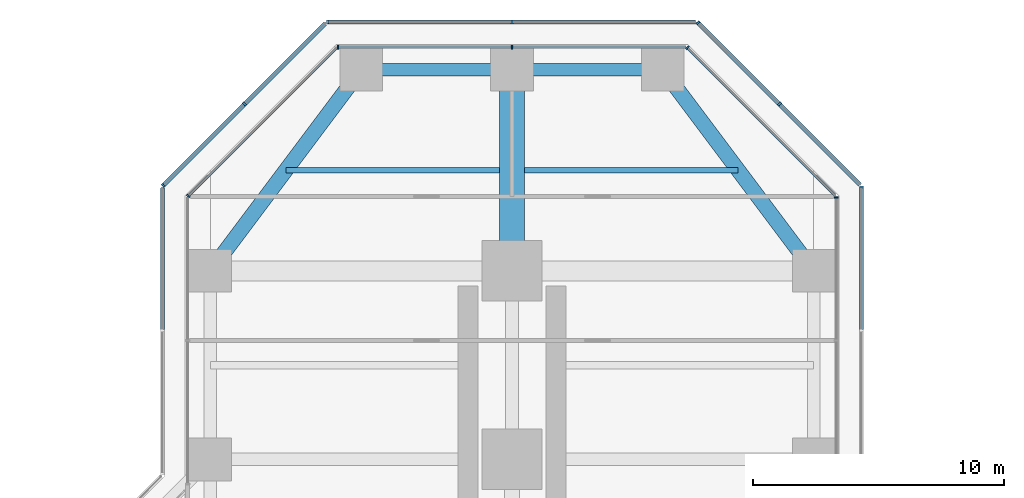
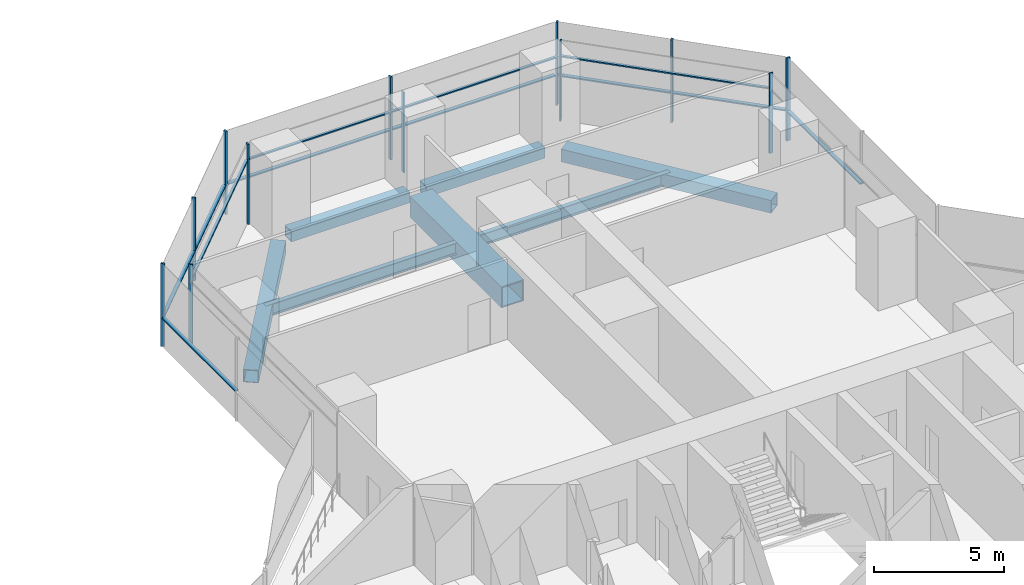
# One storey, part 13 of 22: 24 members, 7 beams, 9 elements without a shape of their own.
"""IFC4 building model written with IfcOpenShell, lengths in metres."""

from ifc_helpers import new_model, si_unit, direction, frame, origin, origin_2d, place, context, subcontext, project, spatial, rectangle, hollow_rectangle, i_section, extrude, material, material_profile, profile_set, type_object, element, aggregate, save


model = new_model("IFC4")

# Units and contexts
model_context = context("Model", 3, precision=1e-05, world=origin(), true_north=direction((0.0, 1.0)))
body_context = subcontext(model_context, "Body", "Model", "MODEL_VIEW")
ifc_project = project(units=[si_unit("LENGTHUNIT", "METRE"), si_unit("AREAUNIT", "SQUARE_METRE"), si_unit("VOLUMEUNIT", "CUBIC_METRE"), si_unit("PLANEANGLEUNIT", "RADIAN"), si_unit("MASSUNIT", "GRAM", prefix="KILO")], contexts=[model_context])

# Site, building, storey
site_placement = place(None, origin())
site = spatial("IfcSite", under=ifc_project, at=site_placement, CompositionType="ELEMENT")
building_placement = place(site_placement, origin())
building = spatial("IfcBuilding", under=site, at=building_placement, Name="Mizan Broadcast Tower", CompositionType="ELEMENT")
storey_placement = place(building_placement, frame((0.0, 0.0, 98.10009765625)))
storey = spatial("IfcBuildingStorey", under=building, at=storey_placement, Name="L21", CompositionType="ELEMENT", Elevation=98.10009765625)

# Beams
ifc_material_1 = material(Name="Steel S355", Category="steel")
ifc_material_profile_1 = material_profile(ifc_material_1, hollow_rectangle(XDim=0.5, YDim=0.5, WallThickness=0.030029296875, at=origin_2d()), Name="BOX 500x500x30")
ifc_profile_set_1 = profile_set([ifc_material_profile_1], Name="Steel S355")
beam_type_1 = type_object("IfcBeamType", Name="EDGE BEAM BOX 500x500x30", PredefinedType="SPANDREL", material=ifc_profile_set_1)
for number, where, z_axis, x_axis, name in (
    (1, (5.639892578125, 35.0, -0.380126953125), (-1.0, 0.0, 0.0), (0.0, -1.0, 0.0), "Edge beam BOX 500x500x30 L21 north arm"),
    (2, (-5.639892578125, 35.0, -0.380126953125), (1.0, 0.0, 0.0), (0.0, 1.0, 0.0), "Edge beam BOX 500x500x30 L21 north arm"),
):
    element("IfcBeam", number, at=place(storey_placement, frame(where, z_axis=z_axis, x_axis=x_axis)), inside=storey, type_object=beam_type_1, Name=name, PredefinedType="SPANDREL", context=body_context, shape_type="SweptSolid", body=[
        extrude(hollow_rectangle(XDim=0.5, YDim=0.5, WallThickness=0.030029296875, at=origin_2d()), origin(), (0.0, 0.0, 1.0), 5.27978515625),
    ])
ifc_material_2 = material(Name="Steel S355", Category="steel")
ifc_material_profile_2 = material_profile(ifc_material_2, hollow_rectangle(XDim=0.60009765625, YDim=0.60009765625, WallThickness=0.030029296875, at=origin_2d()), Name="BOX 600x600x30")
ifc_profile_set_2 = profile_set([ifc_material_profile_2], Name="Steel S355")
beam_type_2 = type_object("IfcBeamType", Name="EDGE BEAM BOX 600x600x30", PredefinedType="SPANDREL", material=ifc_profile_set_2)
for number, where, z_axis, x_axis, name in (
    (3, (11.639892578125, 27.47998046875, -0.43017578125), (-0.599982243973, 0.800013316712, 0.0), (-0.800013316712, -0.599982243973, 0.0), "Edge beam BOX 600x600x30 L21 north arm"),
    (4, (-11.639892578125, 27.47998046875, -0.43017578125), (0.599982243973, 0.800013316712, 0.0), (-0.800013316712, 0.599982243973, 0.0), "Edge beam BOX 600x600x30 L21 north arm"),
):
    element("IfcBeam", number, at=place(storey_placement, frame(where, z_axis=z_axis, x_axis=x_axis)), inside=storey, type_object=beam_type_2, Name=name, PredefinedType="SPANDREL", context=body_context, shape_type="SweptSolid", body=[
        extrude(hollow_rectangle(XDim=0.60009765625, YDim=0.60009765625, WallThickness=0.030029296875, at=origin_2d()), origin(), (0.0, 0.0, 1.0), 8.7998046875),
    ])
ifc_material_3 = material(Name="Steel S460", Category="steel")
ifc_material_profile_3 = material_profile(ifc_material_3, hollow_rectangle(XDim=1.0, YDim=1.0, WallThickness=0.06005859375, at=origin_2d()), Name="BOX 1000x1000x60")
ifc_profile_set_3 = profile_set([ifc_material_profile_3], Name="Steel S460")
beam_type_3 = type_object("IfcBeamType", Name="GIRDER BOX 1000x1000x60", PredefinedType="BEAM", material=ifc_profile_set_3)
beam_placement = place(storey_placement, frame((0.0, 27.47998046875, -0.630126953125), z_axis=(0.0, 1.0, 0.0), x_axis=(-1.0, 0.0, 0.0)))
element("IfcBeam", 5, at=beam_placement, inside=storey, type_object=beam_type_3, Name="Girder BOX 1000x1000x60 L21 north arm", PredefinedType="BEAM", context=body_context, shape_type="SweptSolid", body=[
    extrude(hollow_rectangle(XDim=1.0, YDim=1.0, WallThickness=0.06005859375, at=origin_2d()), origin(), (0.0, 0.0, 1.0), 7.0400390625),
])

# Curtain wall, member
ifc_material_4 = material(Name="Aluminium framed glazing", Category="aluminium")
curtain_wall_type_1 = type_object("IfcCurtainWallType", Name="INNER SKIN LOW ZONE", PredefinedType="USERDEFINED", material=ifc_material_4)
curtain_wall_1_placement = place(storey_placement, origin())
curtain_wall_1 = element("IfcCurtainWall", 6, at=curtain_wall_1_placement, inside=storey, type_object=curtain_wall_type_1, Name="Inner skin low zone L21 N side", ObjectType="INNER SKIN LOW ZONE", PredefinedType="USERDEFINED")
ifc_material_5 = material(Name="Aluminium, pale anodised", Category="aluminium")
ifc_material_profile_4 = material_profile(ifc_material_5, rectangle(XDim=0.159912109375, YDim=0.06005859375, at=origin_2d()), Name="MULLION 160x60")
ifc_profile_set_4 = profile_set([ifc_material_profile_4], Name="Aluminium, pale anodised")
member_type_1 = type_object("IfcMemberType", Name="INNER SKIN MULLION 60x160", PredefinedType="MULLION", material=ifc_profile_set_4)
member_1_placement = place(storey_placement, frame((12.89990234375, 29.928466796875, 0.0), z_axis=(0.0, 0.0, 1.0), x_axis=(-1.0, 0.0, 0.0)))
member_1 = element("IfcMember", 7, at=member_1_placement, type_object=member_type_1, Name="Inner skin low zone L21 N side mullion 3", PredefinedType="MULLION", context=body_context, shape_type="SweptSolid", body=[
    extrude(rectangle(XDim=0.159912109375, YDim=0.06005859375, at=origin_2d()), origin(), (0.0, 0.0, 1.0), 3.77001953125),
])
aggregate(curtain_wall_1, [member_1])

curtain_wall_2_placement = place(storey_placement, origin())
curtain_wall_2 = element("IfcCurtainWall", 8, at=curtain_wall_2_placement, inside=storey, type_object=curtain_wall_type_1, Name="Inner skin low zone L21 N chamfer", ObjectType="INNER SKIN LOW ZONE", PredefinedType="USERDEFINED")
member_2_placement = place(storey_placement, frame((6.979736328125, 35.87890625, 0.0), z_axis=(0.0, 0.0, 1.0), x_axis=(-0.707106781187, -0.707106781187, 0.0)))
member_2 = element("IfcMember", 9, at=member_2_placement, type_object=member_type_1, Name="Inner skin low zone L21 N chamfer mullion 2", PredefinedType="MULLION", context=body_context, shape_type="SweptSolid", body=[
    extrude(rectangle(XDim=0.159912109375, YDim=0.06005859375, at=origin_2d()), origin(), (0.0, 0.0, 1.0), 3.77001953125),
])

# Curtain wall, members
curtain_wall_3_placement = place(storey_placement, origin())
curtain_wall_3 = element("IfcCurtainWall", 10, at=curtain_wall_3_placement, inside=storey, type_object=curtain_wall_type_1, Name="Inner skin low zone L21 N end", ObjectType="INNER SKIN LOW ZONE", PredefinedType="USERDEFINED")
member_3_placement = place(storey_placement, frame((0.0, 35.89990234375, 0.0), z_axis=(0.0, 0.0, 1.0), x_axis=(0.0, -1.0, 0.0)))
member_3 = element("IfcMember", 11, at=member_3_placement, type_object=member_type_1, Name="Inner skin low zone L21 N end mullion 2", PredefinedType="MULLION", context=body_context, shape_type="SweptSolid", body=[
    extrude(rectangle(XDim=0.159912109375, YDim=0.06005859375, at=origin_2d()), origin(), (0.0, 0.0, 1.0), 3.77001953125),
])
member_4_placement = place(storey_placement, frame((-6.928466796875, 35.89990234375, 0.0), z_axis=(0.0, 0.0, 1.0), x_axis=(0.0, -1.0, 0.0)))
member_4 = element("IfcMember", 12, at=member_4_placement, type_object=member_type_1, Name="Inner skin low zone L21 N end mullion 3", PredefinedType="MULLION", context=body_context, shape_type="SweptSolid", body=[
    extrude(rectangle(XDim=0.159912109375, YDim=0.06005859375, at=origin_2d()), origin(), (0.0, 0.0, 1.0), 3.77001953125),
])

# Curtain wall, member
curtain_wall_4_placement = place(storey_placement, origin())
curtain_wall_4 = element("IfcCurtainWall", 13, at=curtain_wall_4_placement, inside=storey, type_object=curtain_wall_type_1, Name="Inner skin low zone L21 N chamfer", ObjectType="INNER SKIN LOW ZONE", PredefinedType="USERDEFINED")
member_5_placement = place(storey_placement, frame((-12.87890625, 29.979736328125, 0.0), z_axis=(0.0, 0.0, 1.0), x_axis=(0.707106781187, -0.707106781187, 0.0)))
member_5 = element("IfcMember", 14, at=member_5_placement, type_object=member_type_1, Name="Inner skin low zone L21 N chamfer mullion 2", PredefinedType="MULLION", context=body_context, shape_type="SweptSolid", body=[
    extrude(rectangle(XDim=0.159912109375, YDim=0.06005859375, at=origin_2d()), origin(), (0.0, 0.0, 1.0), 3.77001953125),
])

# Member
ifc_material_6 = material(Name="Aluminium, pale anodised", Category="aluminium")
ifc_material_profile_5 = material_profile(ifc_material_6, rectangle(XDim=0.1201171875, YDim=0.06005859375, at=origin_2d()), Name="TRANSOM 120x60")
ifc_profile_set_5 = profile_set([ifc_material_profile_5], Name="Aluminium, pale anodised")
member_type_2 = type_object("IfcMemberType", Name="INNER SKIN TRANSOM 60x120", PredefinedType="USERDEFINED", material=ifc_profile_set_5)
member_6_placement = place(storey_placement, frame((12.857666015625, 30.0009765625, 3.02978515625), z_axis=(-0.707106781187, 0.707106781187, 0.0), x_axis=(-0.707106781187, -0.707106781187, 0.0)))
member_6 = element("IfcMember", 15, at=member_6_placement, type_object=member_type_2, Name="Inner skin low zone L21 N chamfer transom 1.1", ObjectType="TRANSOM", PredefinedType="USERDEFINED", context=body_context, shape_type="SweptSolid", body=[
    extrude(rectangle(XDim=0.1201171875, YDim=0.06005859375, at=origin_2d()), origin(), (0.0, 0.0, 1.0), 8.28271484375),
])

aggregate(curtain_wall_2, [member_2, member_6])

member_7_placement = place(storey_placement, frame((6.898681640625, 35.89990234375, 3.02978515625), z_axis=(-1.0, 0.0, 0.0), x_axis=(0.0, -1.0, 0.0)))
member_7 = element("IfcMember", 16, at=member_7_placement, type_object=member_type_2, Name="Inner skin low zone L21 N end transom 1.1", ObjectType="TRANSOM", PredefinedType="USERDEFINED", context=body_context, shape_type="SweptSolid", body=[
    extrude(rectangle(XDim=0.1201171875, YDim=0.06005859375, at=origin_2d()), origin(), (0.0, 0.0, 1.0), 6.86865234375),
])

member_8_placement = place(storey_placement, frame((-0.030029296875, 35.89990234375, 3.02978515625), z_axis=(-1.0, 0.0, 0.0), x_axis=(0.0, -1.0, 0.0)))
member_8 = element("IfcMember", 17, at=member_8_placement, type_object=member_type_2, Name="Inner skin low zone L21 N end transom 2.1", ObjectType="TRANSOM", PredefinedType="USERDEFINED", context=body_context, shape_type="SweptSolid", body=[
    extrude(rectangle(XDim=0.1201171875, YDim=0.06005859375, at=origin_2d()), origin(), (0.0, 0.0, 1.0), 6.86865234375),
])

aggregate(curtain_wall_3, [member_3, member_4, member_7, member_8])

member_9_placement = place(storey_placement, frame((-7.0009765625, 35.857666015625, 3.02978515625), z_axis=(-0.707106781187, -0.707106781187, 0.0), x_axis=(0.707106781187, -0.707106781187, 0.0)))
member_9 = element("IfcMember", 18, at=member_9_placement, type_object=member_type_2, Name="Inner skin low zone L21 N chamfer transom 1.1", ObjectType="TRANSOM", PredefinedType="USERDEFINED", context=body_context, shape_type="SweptSolid", body=[
    extrude(rectangle(XDim=0.1201171875, YDim=0.06005859375, at=origin_2d()), origin(), (0.0, 0.0, 1.0), 8.28271484375),
])

aggregate(curtain_wall_4, [member_5, member_9])

# Curtain wall, member
ifc_material_7 = material(Name="Aluminium framed glazing", Category="aluminium")
curtain_wall_type_2 = type_object("IfcCurtainWallType", Name="OUTER SKIN", PredefinedType="USERDEFINED", material=ifc_material_7)
curtain_wall_5_placement = place(storey_placement, origin())
curtain_wall_5 = element("IfcCurtainWall", 19, at=curtain_wall_5_placement, inside=storey, type_object=curtain_wall_type_2, Name="Outer skin L21 N side", ObjectType="OUTER SKIN", PredefinedType="USERDEFINED")
ifc_material_8 = material(Name="Aluminium, pale anodised", Category="aluminium")
ifc_material_profile_6 = material_profile(ifc_material_8, rectangle(XDim=0.159912109375, YDim=0.080078125, at=origin_2d()), Name="MULLION 160x80")
ifc_profile_set_6 = profile_set([ifc_material_profile_6], Name="Aluminium, pale anodised")
member_type_3 = type_object("IfcMemberType", Name="OUTER SKIN MULLION 80x160", PredefinedType="MULLION", material=ifc_profile_set_6)
member_10_placement = place(storey_placement, frame((13.89990234375, 30.332763671875, 0.0), z_axis=(0.0, 0.0, 1.0), x_axis=(-1.0, 0.0, 0.0)))
member_10 = element("IfcMember", 20, at=member_10_placement, type_object=member_type_3, Name="Outer skin L21 N side mullion 3", PredefinedType="MULLION", context=body_context, shape_type="SweptSolid", body=[
    extrude(rectangle(XDim=0.159912109375, YDim=0.080078125, at=origin_2d()), origin(), (0.0, 0.0, 1.0), 3.89990234375),
])

# Curtain wall, members
curtain_wall_6_placement = place(storey_placement, origin())
curtain_wall_6 = element("IfcCurtainWall", 21, at=curtain_wall_6_placement, inside=storey, type_object=curtain_wall_type_2, Name="Outer skin L21 N chamfer", ObjectType="OUTER SKIN", PredefinedType="USERDEFINED")
member_11_placement = place(storey_placement, frame((10.636474609375, 33.636474609375, 0.0), z_axis=(0.0, 0.0, 1.0), x_axis=(-0.707106781187, -0.707106781187, 0.0)))
member_11 = element("IfcMember", 22, at=member_11_placement, type_object=member_type_3, Name="Outer skin L21 N chamfer mullion 2", PredefinedType="MULLION", context=body_context, shape_type="SweptSolid", body=[
    extrude(rectangle(XDim=0.159912109375, YDim=0.080078125, at=origin_2d()), origin(), (0.0, 0.0, 1.0), 3.89990234375),
])
member_12_placement = place(storey_placement, frame((7.401123046875, 36.871826171875, 0.0), z_axis=(0.0, 0.0, 1.0), x_axis=(-0.707106781187, -0.707106781187, 0.0)))
member_12 = element("IfcMember", 23, at=member_12_placement, type_object=member_type_3, Name="Outer skin L21 N chamfer mullion 3", PredefinedType="MULLION", context=body_context, shape_type="SweptSolid", body=[
    extrude(rectangle(XDim=0.159912109375, YDim=0.080078125, at=origin_2d()), origin(), (0.0, 0.0, 1.0), 3.89990234375),
])

curtain_wall_7_placement = place(storey_placement, origin())
curtain_wall_7 = element("IfcCurtainWall", 24, at=curtain_wall_7_placement, inside=storey, type_object=curtain_wall_type_2, Name="Outer skin L21 N end", ObjectType="OUTER SKIN", PredefinedType="USERDEFINED")
member_13_placement = place(storey_placement, frame((0.0, 36.89990234375, 0.0), z_axis=(0.0, 0.0, 1.0), x_axis=(0.0, -1.0, 0.0)))
member_13 = element("IfcMember", 25, at=member_13_placement, type_object=member_type_3, Name="Outer skin L21 N end mullion 2", PredefinedType="MULLION", context=body_context, shape_type="SweptSolid", body=[
    extrude(rectangle(XDim=0.159912109375, YDim=0.080078125, at=origin_2d()), origin(), (0.0, 0.0, 1.0), 3.89990234375),
])
member_14_placement = place(storey_placement, frame((-7.332763671875, 36.89990234375, 0.0), z_axis=(0.0, 0.0, 1.0), x_axis=(0.0, -1.0, 0.0)))
member_14 = element("IfcMember", 26, at=member_14_placement, type_object=member_type_3, Name="Outer skin L21 N end mullion 3", PredefinedType="MULLION", context=body_context, shape_type="SweptSolid", body=[
    extrude(rectangle(XDim=0.159912109375, YDim=0.080078125, at=origin_2d()), origin(), (0.0, 0.0, 1.0), 3.89990234375),
])

curtain_wall_8_placement = place(storey_placement, origin())
curtain_wall_8 = element("IfcCurtainWall", 27, at=curtain_wall_8_placement, inside=storey, type_object=curtain_wall_type_2, Name="Outer skin L21 N chamfer", ObjectType="OUTER SKIN", PredefinedType="USERDEFINED")
member_15_placement = place(storey_placement, frame((-10.636474609375, 33.636474609375, 0.0), z_axis=(0.0, 0.0, 1.0), x_axis=(0.707106781187, -0.707106781187, 0.0)))
member_15 = element("IfcMember", 28, at=member_15_placement, type_object=member_type_3, Name="Outer skin L21 N chamfer mullion 2", PredefinedType="MULLION", context=body_context, shape_type="SweptSolid", body=[
    extrude(rectangle(XDim=0.159912109375, YDim=0.080078125, at=origin_2d()), origin(), (0.0, 0.0, 1.0), 3.89990234375),
])
member_16_placement = place(storey_placement, frame((-13.871826171875, 30.401123046875, 0.0), z_axis=(0.0, 0.0, 1.0), x_axis=(0.707106781187, -0.707106781187, 0.0)))
member_16 = element("IfcMember", 29, at=member_16_placement, type_object=member_type_3, Name="Outer skin L21 N chamfer mullion 3", PredefinedType="MULLION", context=body_context, shape_type="SweptSolid", body=[
    extrude(rectangle(XDim=0.159912109375, YDim=0.080078125, at=origin_2d()), origin(), (0.0, 0.0, 1.0), 3.89990234375),
])

# Member
ifc_material_9 = material(Name="Aluminium, pale anodised", Category="aluminium")
ifc_material_profile_7 = material_profile(ifc_material_9, rectangle(XDim=0.159912109375, YDim=0.06005859375, at=origin_2d()), Name="TRANSOM 160x60")
ifc_profile_set_7 = profile_set([ifc_material_profile_7], Name="Aluminium, pale anodised")
member_type_4 = type_object("IfcMemberType", Name="OUTER SKIN TRANSOM 60x160", PredefinedType="USERDEFINED", material=ifc_profile_set_7)
member_17_placement = place(storey_placement, frame((13.89990234375, 24.662841796875, 1.39990234375), z_axis=(0.0, 1.0, 0.0), x_axis=(-1.0, 0.0, 0.0)))
member_17 = element("IfcMember", 30, at=member_17_placement, type_object=member_type_4, Name="Outer skin L21 N side transom 2.1", ObjectType="TRANSOM", PredefinedType="USERDEFINED", context=body_context, shape_type="SweptSolid", body=[
    extrude(rectangle(XDim=0.159912109375, YDim=0.06005859375, at=origin_2d()), origin(), (0.0, 0.0, 1.0), 5.6298828125),
])

aggregate(curtain_wall_5, [member_10, member_17])

member_18_placement = place(storey_placement, frame((13.843505859375, 30.429443359375, 1.39990234375), z_axis=(-0.707106781187, 0.707106781187, 0.0), x_axis=(-0.707106781187, -0.707106781187, 0.0)))
member_18 = element("IfcMember", 31, at=member_18_placement, type_object=member_type_4, Name="Outer skin L21 N chamfer transom 1.1", ObjectType="TRANSOM", PredefinedType="USERDEFINED", context=body_context, shape_type="SweptSolid", body=[
    extrude(rectangle(XDim=0.159912109375, YDim=0.06005859375, at=origin_2d()), origin(), (0.0, 0.0, 1.0), 4.495361328125),
])

member_19_placement = place(storey_placement, frame((10.608154296875, 33.664794921875, 1.39990234375), z_axis=(-0.707106781187, 0.707106781187, 0.0), x_axis=(-0.707106781187, -0.707106781187, 0.0)))
member_19 = element("IfcMember", 32, at=member_19_placement, type_object=member_type_4, Name="Outer skin L21 N chamfer transom 2.1", ObjectType="TRANSOM", PredefinedType="USERDEFINED", context=body_context, shape_type="SweptSolid", body=[
    extrude(rectangle(XDim=0.159912109375, YDim=0.06005859375, at=origin_2d()), origin(), (0.0, 0.0, 1.0), 4.495361328125),
])

aggregate(curtain_wall_6, [member_11, member_12, member_18, member_19])

member_20_placement = place(storey_placement, frame((7.292724609375, 36.89990234375, 1.39990234375), z_axis=(-1.0, 0.0, 0.0), x_axis=(0.0, -1.0, 0.0)))
member_20 = element("IfcMember", 33, at=member_20_placement, type_object=member_type_4, Name="Outer skin L21 N end transom 1.1", ObjectType="TRANSOM", PredefinedType="USERDEFINED", context=body_context, shape_type="SweptSolid", body=[
    extrude(rectangle(XDim=0.159912109375, YDim=0.06005859375, at=origin_2d()), origin(), (0.0, 0.0, 1.0), 7.252685546875),
])

member_21_placement = place(storey_placement, frame((-0.0400390625, 36.89990234375, 1.39990234375), z_axis=(-1.0, 0.0, 0.0), x_axis=(0.0, -1.0, 0.0)))
member_21 = element("IfcMember", 34, at=member_21_placement, type_object=member_type_4, Name="Outer skin L21 N end transom 2.1", ObjectType="TRANSOM", PredefinedType="USERDEFINED", context=body_context, shape_type="SweptSolid", body=[
    extrude(rectangle(XDim=0.159912109375, YDim=0.06005859375, at=origin_2d()), origin(), (0.0, 0.0, 1.0), 7.252685546875),
])

aggregate(curtain_wall_7, [member_13, member_14, member_20, member_21])

member_22_placement = place(storey_placement, frame((-7.429443359375, 36.843505859375, 1.39990234375), z_axis=(-0.707106781187, -0.707106781187, 0.0), x_axis=(0.707106781187, -0.707106781187, 0.0)))
member_22 = element("IfcMember", 35, at=member_22_placement, type_object=member_type_4, Name="Outer skin L21 N chamfer transom 1.1", ObjectType="TRANSOM", PredefinedType="USERDEFINED", context=body_context, shape_type="SweptSolid", body=[
    extrude(rectangle(XDim=0.159912109375, YDim=0.06005859375, at=origin_2d()), origin(), (0.0, 0.0, 1.0), 4.495361328125),
])

member_23_placement = place(storey_placement, frame((-10.664794921875, 33.608154296875, 1.39990234375), z_axis=(-0.707106781187, -0.707106781187, 0.0), x_axis=(0.707106781187, -0.707106781187, 0.0)))
member_23 = element("IfcMember", 36, at=member_23_placement, type_object=member_type_4, Name="Outer skin L21 N chamfer transom 2.1", ObjectType="TRANSOM", PredefinedType="USERDEFINED", context=body_context, shape_type="SweptSolid", body=[
    extrude(rectangle(XDim=0.159912109375, YDim=0.06005859375, at=origin_2d()), origin(), (0.0, 0.0, 1.0), 4.495361328125),
])

aggregate(curtain_wall_8, [member_15, member_16, member_22, member_23])

# Curtain wall, member
curtain_wall_9_placement = place(storey_placement, origin())
curtain_wall_9 = element("IfcCurtainWall", 37, at=curtain_wall_9_placement, inside=storey, type_object=curtain_wall_type_2, Name="Outer skin L21 N side", ObjectType="OUTER SKIN", PredefinedType="USERDEFINED")
member_24_placement = place(storey_placement, frame((-13.89990234375, 30.292724609375, 1.39990234375), z_axis=(0.0, -1.0, 0.0), x_axis=(1.0, 0.0, 0.0)))
member_24 = element("IfcMember", 38, at=member_24_placement, type_object=member_type_4, Name="Outer skin L21 N side transom 1.1", ObjectType="TRANSOM", PredefinedType="USERDEFINED", context=body_context, shape_type="SweptSolid", body=[
    extrude(rectangle(XDim=0.159912109375, YDim=0.06005859375, at=origin_2d()), origin(), (0.0, 0.0, 1.0), 5.6298828125),
])
aggregate(curtain_wall_9, [member_24])

# Beams
ifc_material_10 = material(Name="Steel S355", Category="steel")
ifc_material_profile_8 = material_profile(ifc_material_10, i_section(OverallWidth=0.2099609375, OverallDepth=0.550048828125, WebThickness=0.010986328125, FlangeThickness=0.01708984375, FilletRadius=0.02392578125, at=origin_2d()), Name="IPE 550")
ifc_profile_set_8 = profile_set([ifc_material_profile_8], Name="Steel S355")
beam_type_4 = type_object("IfcBeamType", Name="SECONDARY BEAM IPE 550", PredefinedType="JOIST", material=ifc_profile_set_8)
for number, where, z_axis, x_axis, name in (
    (39, (9.0, 31.0, -0.405029296875), (-1.0, 0.0, 0.0), (0.0, -1.0, 0.0), "Secondary beam IPE 550 L21 north arm"),
    (40, (-9.0, 31.0, -0.405029296875), (1.0, 0.0, 0.0), (0.0, 1.0, 0.0), "Secondary beam IPE 550 L21 north arm"),
):
    element("IfcBeam", number, at=place(storey_placement, frame(where, z_axis=z_axis, x_axis=x_axis)), inside=storey, type_object=beam_type_4, Name=name, PredefinedType="JOIST", context=body_context, shape_type="SweptSolid", body=[
        extrude(i_section(OverallWidth=0.2099609375, OverallDepth=0.550048828125, WebThickness=0.010986328125, FlangeThickness=0.01708984375, FilletRadius=0.02392578125, at=origin_2d()), origin(), (0.0, 0.0, 1.0), 8.5),
    ])

save(model, "model.ifc")
